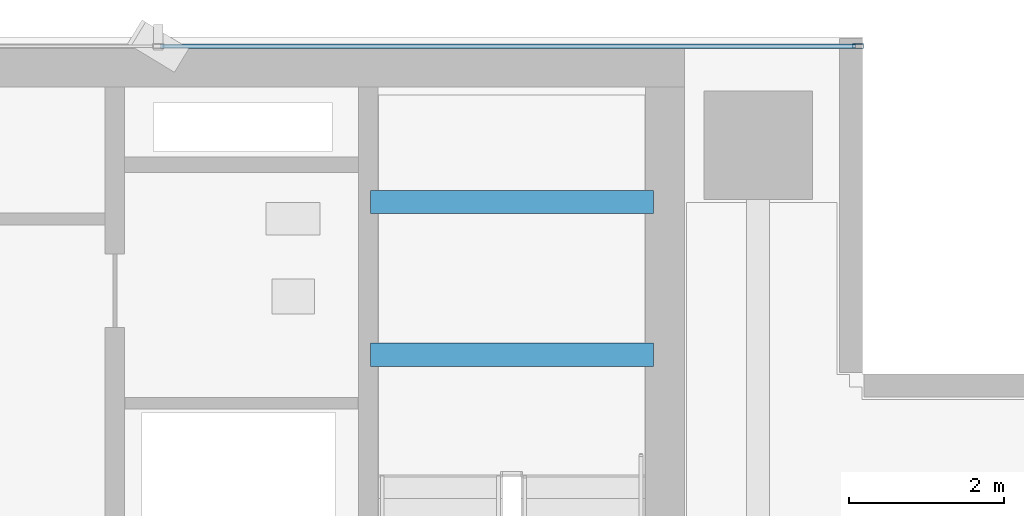
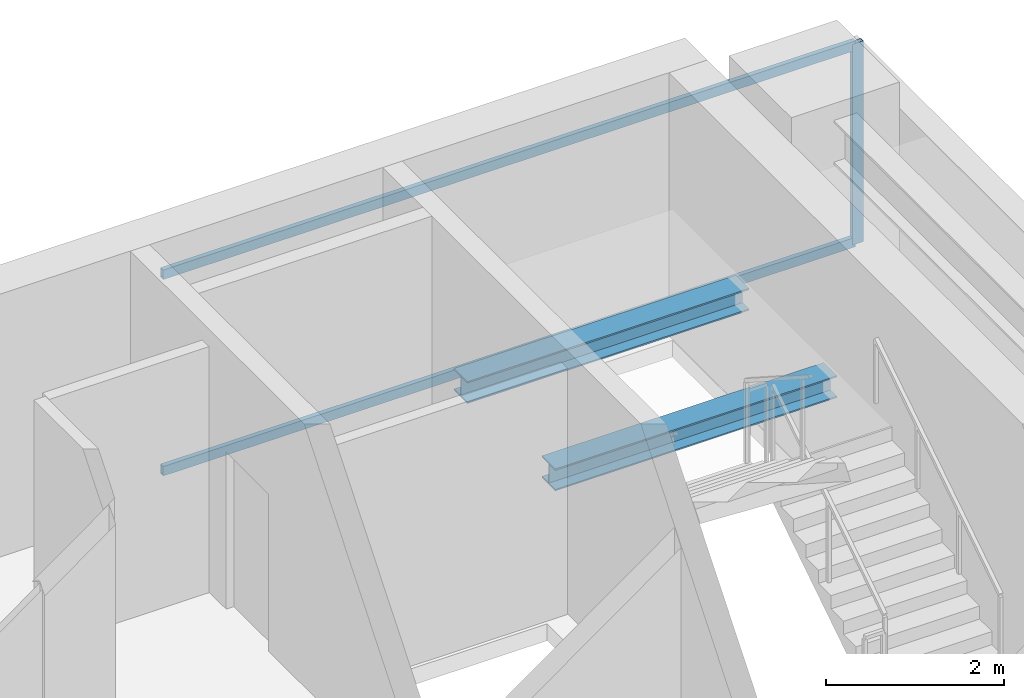
# One storey, part 18 of 26: 3 members, 2 beams, 1 element without a shape of its own.
"""IFC4 building model written with IfcOpenShell, lengths in metres."""

import ifcopenshell
import ifcopenshell.guid

model = None  # the IFC model being written
_history = None  # IfcOwnerHistory: only IFC2X3 demands one
_inside = {}  # id of a spatial element -> (the spatial element, [elements in it])
_under = {}  # id of a project, library or spatial element -> (it, [spatial elements below it])
_declared = {}  # id of a project -> (the project, [libraries it declares])
_typed = {}  # id of a type object -> (the type object, [elements of that type])
_made_of = {}  # id of a material, layer set ... -> (it, [elements and type objects made of it])


def new_model(schema):
    """Start an empty IFC model of exactly this schema.

    Asked for "IFC4X3", IfcOpenShell would pick the latest addendum, in which some entities
    have other attributes; the version numbers below select the first issue.
    IFC2X3 requires an IfcOwnerHistory on every rooted entity: one is made here for all.
    """
    global model, _history
    if schema == "IFC4X3":
        model = ifcopenshell.file(schema_version=(4, 3, 0, 0))
    else:
        model = ifcopenshell.file(schema=schema)
    _inside.clear()
    _under.clear()
    _declared.clear()
    _typed.clear()
    _made_of.clear()
    _history = None
    if model.schema == "IFC2X3":
        org = make("IfcOrganization", Name="unknown")
        user = make(
            "IfcPersonAndOrganization",
            ThePerson=make("IfcPerson", FamilyName="unknown"),
            TheOrganization=org,
        )
        app = make(
            "IfcApplication",
            ApplicationDeveloper=org,
            Version="unknown",
            ApplicationFullName="unknown",
            ApplicationIdentifier="unknown",
        )
        _history = make(
            "IfcOwnerHistory",
            OwningUser=user,
            OwningApplication=app,
            ChangeAction="ADDED",
            CreationDate=0,
        )
    return model


def make(cls, **values):
    """One entity of the class cls with the attributes given. An attribute that is None is left unset."""
    return model.create_entity(
        cls, **{name: value for name, value in values.items() if value is not None}
    )


def rooted(cls, **values):
    """An entity with a GlobalId (a new one), such as an element, a storey or a relation."""
    return make(cls, GlobalId=ifcopenshell.guid.new(), OwnerHistory=_history, **values)


def si_unit(unit_type, name, prefix=None):
    """IfcSIUnit, for example si_unit("LENGTHUNIT", "METRE", prefix="MILLI")."""
    return make("IfcSIUnit", UnitType=unit_type, Prefix=prefix, Name=name)


def assignment(units):
    """IfcUnitAssignment: the units of a project."""
    return None if units is None else make("IfcUnitAssignment", Units=units)


def point(xyz):
    """IfcCartesianPoint."""
    return None if xyz is None else make("IfcCartesianPoint", Coordinates=xyz)


def direction(xyz):
    """IfcDirection."""
    return None if xyz is None else make("IfcDirection", DirectionRatios=xyz)


def frame(location, z_axis=None, x_axis=None):
    """IfcAxis2Placement3D, a coordinate frame: its origin and axes. An axis left out is left unset."""
    return make(
        "IfcAxis2Placement3D",
        Location=point(location),
        Axis=direction(z_axis),
        RefDirection=direction(x_axis),
    )


def frame_2d(location, x_axis=None):
    """IfcAxis2Placement2D, a coordinate frame in the plane: its origin and x axis."""
    return make(
        "IfcAxis2Placement2D", Location=point(location), RefDirection=direction(x_axis)
    )


def origin():
    """The frame at (0, 0, 0) with its axes left unset."""
    return frame((0.0, 0.0, 0.0))


def origin_2d():
    """The frame at (0, 0) in the plane with its x axis left unset."""
    return frame_2d((0.0, 0.0))


def place(relative_to, where):
    """IfcLocalPlacement: puts the frame where relative to a parent placement (None: the world)."""
    return make(
        "IfcLocalPlacement", PlacementRelTo=relative_to, RelativePlacement=where
    )


def context(
    kind, dimensions, precision=None, world=None, true_north=None, identifier=None
):
    """IfcGeometricRepresentationContext, for example the 3D "Model" context."""
    return make(
        "IfcGeometricRepresentationContext",
        ContextIdentifier=identifier,
        ContextType=kind,
        CoordinateSpaceDimension=dimensions,
        Precision=precision,
        WorldCoordinateSystem=world,
        TrueNorth=true_north,
    )


def subcontext(parent, identifier, kind, view, scale=None):
    """IfcGeometricRepresentationSubContext, for example "Body" below "Model"."""
    return make(
        "IfcGeometricRepresentationSubContext",
        ContextIdentifier=identifier,
        ContextType=kind,
        ParentContext=parent,
        TargetScale=scale,
        TargetView=view,
    )


def project(units=None, contexts=None):
    """IfcProject with its units and contexts."""
    return rooted(
        "IfcProject",
        Name="project",
        RepresentationContexts=contexts,
        UnitsInContext=assignment(units),
    )


def spatial(cls, under=None, at=None, **own):
    """A site, building, storey or space (cls), placed at a placement, below another one or the project."""
    s = rooted(cls, ObjectPlacement=at, **own)
    if under is not None:
        _under.setdefault(under.id(), (under, []))[1].append(s)
    return s


def profile(cls, at=None, kind="AREA", **sizes):
    """A parametric profile (cls). Its sizes go by their IFC names, for example OverallWidth=200.0."""
    return make(cls, ProfileType=kind, Position=at, **sizes)


def hollow_rectangle(**sizes):
    """IfcRectangleHollowProfileDef."""
    return profile("IfcRectangleHollowProfileDef", **sizes)


def i_section(**sizes):
    """IfcIShapeProfileDef."""
    return profile("IfcIShapeProfileDef", **sizes)


def extrude(swept, where, along, depth):
    """IfcExtrudedAreaSolid: the profile swept, set in the frame where, extruded along a direction by depth."""
    return make(
        "IfcExtrudedAreaSolid",
        SweptArea=swept,
        Position=where,
        ExtrudedDirection=direction(along),
        Depth=depth,
    )


def shape(context_of_items, identifier, shape_type, items):
    """IfcShapeRepresentation: the items that make up one representation, for example the "Body"."""
    return make(
        "IfcShapeRepresentation",
        ContextOfItems=context_of_items,
        RepresentationIdentifier=identifier,
        RepresentationType=shape_type,
        Items=items,
    )


def source(mapping_origin, context_of_items, identifier, shape_type, items):
    """IfcRepresentationMap: a shape defined once, which mapped items show again and again."""
    return make(
        "IfcRepresentationMap",
        MappingOrigin=mapping_origin,
        MappedRepresentation=shape(context_of_items, identifier, shape_type, items),
    )


def transform(
    local_origin,
    x_axis=None,
    y_axis=None,
    z_axis=None,
    scale=None,
    scale2=None,
    scale3=None,
    uniform=True,
):
    """IfcCartesianTransformationOperator3D, or its non-uniform kind. x_axis, y_axis, z_axis: its Axis1, 2, 3."""
    if uniform:
        return make(
            "IfcCartesianTransformationOperator3D",
            Axis1=direction(x_axis),
            Axis2=direction(y_axis),
            LocalOrigin=point(local_origin),
            Scale=scale,
            Axis3=direction(z_axis),
        )
    return make(
        "IfcCartesianTransformationOperator3DnonUniform",
        Axis1=direction(x_axis),
        Axis2=direction(y_axis),
        LocalOrigin=point(local_origin),
        Scale=scale,
        Axis3=direction(z_axis),
        Scale2=scale2,
        Scale3=scale3,
    )


def mapped(mapping_source, mapping_target):
    """IfcMappedItem: shows the shape of a source again, moved by a transform."""
    return make(
        "IfcMappedItem", MappingSource=mapping_source, MappingTarget=mapping_target
    )


def material(Name=None, Category=None):
    """IfcMaterial."""
    return make("IfcMaterial", Name=Name, Category=Category)


def layer(
    of_material, thickness, ventilated=None, Name=None, Category=None, Priority=None
):
    """IfcMaterialLayer: one layer of a wall or slab, of a material (None: an air gap)."""
    return make(
        "IfcMaterialLayer",
        Material=of_material,
        LayerThickness=thickness,
        IsVentilated=ventilated,
        Name=Name,
        Category=Category,
        Priority=Priority,
    )


def layer_set(layers, Name=None):
    """IfcMaterialLayerSet."""
    return make("IfcMaterialLayerSet", MaterialLayers=layers, LayerSetName=Name)


def material_profile(
    of_material, cross_section, Name=None, Category=None, Priority=None
):
    """IfcMaterialProfile: a cross section and its material."""
    return make(
        "IfcMaterialProfile",
        Name=Name,
        Material=of_material,
        Profile=cross_section,
        Priority=Priority,
        Category=Category,
    )


def profile_set(profiles, Name=None, composite=None):
    """IfcMaterialProfileSet."""
    return make(
        "IfcMaterialProfileSet",
        Name=Name,
        MaterialProfiles=profiles,
        CompositeProfile=composite,
    )


def made_of(thing, what):
    """Note that an element or type object is made of a material, layer set ...; save() writes the relation."""
    if what is not None:
        _made_of.setdefault(what.id(), (what, []))[1].append(thing)
    return thing


def type_object(cls, material=None, **own):
    """A type object (cls), such as IfcWallType, which elements share."""
    return made_of(rooted(cls, **own), material)


def element(
    cls,
    number,
    at=None,
    inside=None,
    cuts=None,
    type_object=None,
    material=None,
    context=None,
    identifier="Body",
    shape_type=None,
    held_by="IfcProductDefinitionShape",
    body=None,
    shapes=None,
    **own,
):
    """One element of the class cls, such as IfcWall. Its Tag is "e" and its number.

    at: its placement. inside: the storey or other place that contains it. cuts: it is an
    opening in that element (IfcRelVoidsElement). A single representation is given by context,
    identifier, shape_type and body (its items); several are given by shapes. held_by: the class
    of the entity that holds the representations. save() writes the other relations.
    """
    e = rooted(cls, Tag="e%d" % number, ObjectPlacement=at, **own)
    if body is not None:
        shapes = [shape(context, identifier, shape_type, body)]
    if shapes is not None:
        e.Representation = make(held_by, Representations=shapes)
    if inside is not None:
        _inside.setdefault(inside.id(), (inside, []))[1].append(e)
    if cuts is not None:
        rooted(
            "IfcRelVoidsElement", RelatingBuildingElement=cuts, RelatedOpeningElement=e
        )
    if type_object is not None:
        _typed.setdefault(type_object.id(), (type_object, []))[1].append(e)
    return made_of(e, material)


def aggregate(whole, parts):
    """IfcRelAggregates: a whole, such as a stair, and the parts it consists of."""
    return rooted("IfcRelAggregates", RelatingObject=whole, RelatedObjects=parts)


def save(model, path):
    """Write the relations noted so far, then the file.

    IfcRelAggregates (storeys below a building ...), IfcRelContainedInSpatialStructure (elements
    in a storey), IfcRelDefinesByType, IfcRelAssociatesMaterial and IfcRelDeclares: one each for
    every whole, place, type object, material and project.
    """
    for whole, parts in _under.values():
        aggregate(whole, parts)
    for where, things in _inside.values():
        rooted(
            "IfcRelContainedInSpatialStructure",
            RelatedElements=things,
            RelatingStructure=where,
        )
    for kind, things in _typed.values():
        rooted("IfcRelDefinesByType", RelatedObjects=things, RelatingType=kind)
    for what, things in _made_of.values():
        rooted("IfcRelAssociatesMaterial", RelatedObjects=things, RelatingMaterial=what)
    for by, libraries in _declared.values():
        rooted("IfcRelDeclares", RelatingContext=by, RelatedDefinitions=libraries)
    model.write(path)


model = new_model("IFC4")

# Units and contexts
model_context = context("Model", 3, precision=1e-05, world=origin(), true_north=direction((0.0, 1.0)))
body_context = subcontext(model_context, "Body", "Model", "MODEL_VIEW")
ifc_project = project(units=[si_unit("LENGTHUNIT", "METRE"), si_unit("AREAUNIT", "SQUARE_METRE"), si_unit("VOLUMEUNIT", "CUBIC_METRE"), si_unit("PLANEANGLEUNIT", "RADIAN"), si_unit("MASSUNIT", "GRAM", prefix="KILO")], contexts=[model_context])

# Site, building, storey
site_placement = place(None, origin())
site = spatial("IfcSite", under=ifc_project, at=site_placement, CompositionType="ELEMENT")
building_placement = place(site_placement, origin())
building = spatial("IfcBuilding", under=site, at=building_placement, Name="Sumidabori Civic Tower", CompositionType="ELEMENT")
storey_placement = place(building_placement, frame((0.0, 0.0, 243.199951171875)))
storey = spatial("IfcBuildingStorey", under=building, at=storey_placement, Name="L63", CompositionType="ELEMENT", Elevation=243.199951171875)

# Beams
ifc_material_1 = material(Name="Steel SN490", Category="steel")
ifc_material_profile_1 = material_profile(ifc_material_1, i_section(OverallWidth=0.300048828125, OverallDepth=0.300048828125, WebThickness=0.010986328125, FlangeThickness=0.01904296875, at=origin_2d()), Name="HE 300 B")
ifc_profile_set_1 = profile_set([ifc_material_profile_1], Name="Steel SN490")
beam_type = type_object("IfcBeamType", Name="BM-LDG-300", PredefinedType="BEAM", material=ifc_profile_set_1)
shared_shape_1 = source(origin(), body_context, "Body", "SweptSolid", [
    extrude(i_section(OverallWidth=0.300048828125, OverallDepth=0.300048828125, WebThickness=0.010986328125, FlangeThickness=0.01904296875, at=origin_2d()), origin(), (0.0, 0.0, 1.0), 3.64990234375),
])
for number, where, z_axis, x_axis, name in (
    (1, (11.800048828125, 20.09765625, 1.449951171875), (1.0, 0.0, 0.0), (0.0, 1.0, 0.0), "Stair ST-2 Landing Support Beam L63-1A"),
    (2, (11.800048828125, 22.069580078125, 1.449951171875), (1.0, 0.0, 0.0), (0.0, 1.0, 0.0), "Stair ST-2 Landing Trimmer Beam L63-1B"),
):
    element("IfcBeam", number, at=place(storey_placement, frame(where, z_axis=z_axis, x_axis=x_axis)), inside=storey, type_object=beam_type, Name=name, PredefinedType="BEAM", context=body_context, shape_type="MappedRepresentation", body=[
        mapped(shared_shape_1, transform((0.0, 0.0, 0.0), x_axis=(1.0, 0.0, 0.0), y_axis=(0.0, 1.0, 0.0), z_axis=(0.0, 0.0, 1.0), scale=1.0)),
    ])

# Curtain wall, members
ifc_material_2 = material(Name="Anodised Bronze Aluminium AW-6063-T6", Category="aluminium")
ifc_layer = layer(ifc_material_2, 0.179931640625, Name="Anodised Bronze Aluminium AW-6063-T6")
ifc_layer_set = layer_set([ifc_layer], Name="Anodised Bronze Aluminium AW-6063-T6")
curtain_wall_type = type_object("IfcCurtainWallType", Name="CW-SYS-5", PredefinedType="NOTDEFINED", material=ifc_layer_set)
curtain_wall_placement = place(storey_placement, origin())
curtain_wall = element("IfcCurtainWall", 3, at=curtain_wall_placement, inside=storey, type_object=curtain_wall_type, Name="Curtain Wall CW:L63:R07", PredefinedType="NOTDEFINED")
ifc_material_profile_2 = material_profile(ifc_material_2, hollow_rectangle(XDim=0.06005859375, YDim=0.139892578125, WallThickness=0.0048828125, at=origin_2d()), Name="ALU MULLION 140x60")
ifc_profile_set_2 = profile_set([ifc_material_profile_2], Name="Anodised Bronze Aluminium AW-6063-T6")
member_type_1 = type_object("IfcMemberType", Name="CW-MUL-140", PredefinedType="MULLION", material=ifc_profile_set_2)
shared_shape_2 = source(origin(), body_context, "Body", "SweptSolid", [
    extrude(hollow_rectangle(XDim=0.06005859375, YDim=0.139892578125, WallThickness=0.0048828125, at=origin_2d()), origin(), (0.0, 0.0, 1.0), 2.75),
])
member_1_placement = place(storey_placement, frame((18.090087890625, 24.080078125, 0.0), z_axis=(0.0, 0.0, 1.0), x_axis=(0.0, -1.0, 0.0)))
member_1 = element("IfcMember", 4, at=member_1_placement, type_object=member_type_1, Name="CW-5 mullion 1", PredefinedType="MULLION", context=body_context, shape_type="MappedRepresentation", body=[
    mapped(shared_shape_2, transform((0.0, 0.0, 0.0), x_axis=(1.0, 0.0, 0.0), y_axis=(0.0, 1.0, 0.0), z_axis=(0.0, 0.0, 1.0), scale=1.0)),
])
ifc_material_profile_3 = material_profile(ifc_material_2, hollow_rectangle(XDim=0.06005859375, YDim=0.1298828125, WallThickness=0.0048828125, at=origin_2d()), Name="ALU TRANSOM 130x60")
ifc_profile_set_3 = profile_set([ifc_material_profile_3], Name="Anodised Bronze Aluminium AW-6063-T6")
member_type_2 = type_object("IfcMemberType", Name="CW-TRN-130", PredefinedType="USERDEFINED", material=ifc_profile_set_3)
shared_shape_3 = source(origin(), body_context, "Body", "SweptSolid", [
    extrude(hollow_rectangle(XDim=0.06005859375, YDim=0.1298828125, WallThickness=0.0048828125, at=origin_2d()), origin(), (0.0, 0.0, 1.0), 8.969970703125),
])
member_2_placement = place(storey_placement, frame((18.06005859375, 24.080078125, 0.030029296875), z_axis=(-1.0, 0.0, 0.0), x_axis=(0.0, -1.0, 0.0)))
member_2 = element("IfcMember", 5, at=member_2_placement, type_object=member_type_2, Name="CW-5 transom 1.1", ObjectType="TRANSOM", PredefinedType="USERDEFINED", context=body_context, shape_type="MappedRepresentation", body=[
    mapped(shared_shape_3, transform((0.0, 0.0, 0.0), x_axis=(1.0, 0.0, 0.0), y_axis=(0.0, 1.0, 0.0), z_axis=(0.0, 0.0, 1.0), scale=1.0)),
])
member_3_placement = place(storey_placement, frame((18.06005859375, 24.080078125, 2.719970703125), z_axis=(-1.0, 0.0, 0.0), x_axis=(0.0, -1.0, 0.0)))
member_3 = element("IfcMember", 6, at=member_3_placement, type_object=member_type_2, Name="CW-5 transom 1.2", ObjectType="TRANSOM", PredefinedType="USERDEFINED", context=body_context, shape_type="MappedRepresentation", body=[
    mapped(shared_shape_3, transform((0.0, 0.0, 0.0), x_axis=(1.0, 0.0, 0.0), y_axis=(0.0, 1.0, 0.0), z_axis=(0.0, 0.0, 1.0), scale=1.0)),
])
aggregate(curtain_wall, [member_1, member_2, member_3])

save(model, "model.ifc")
